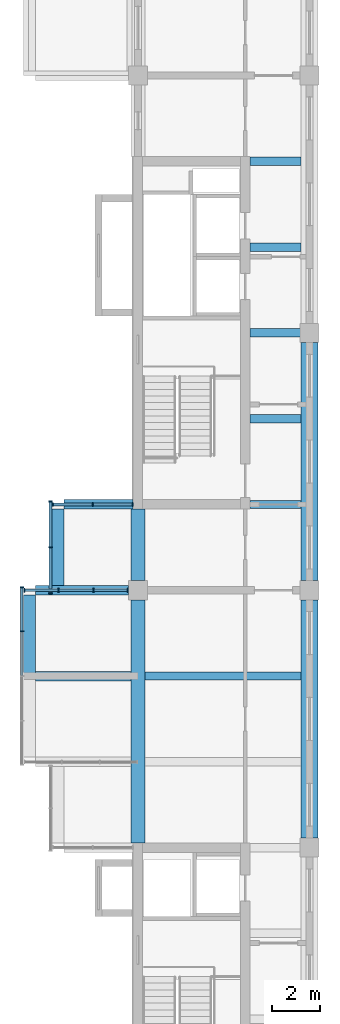
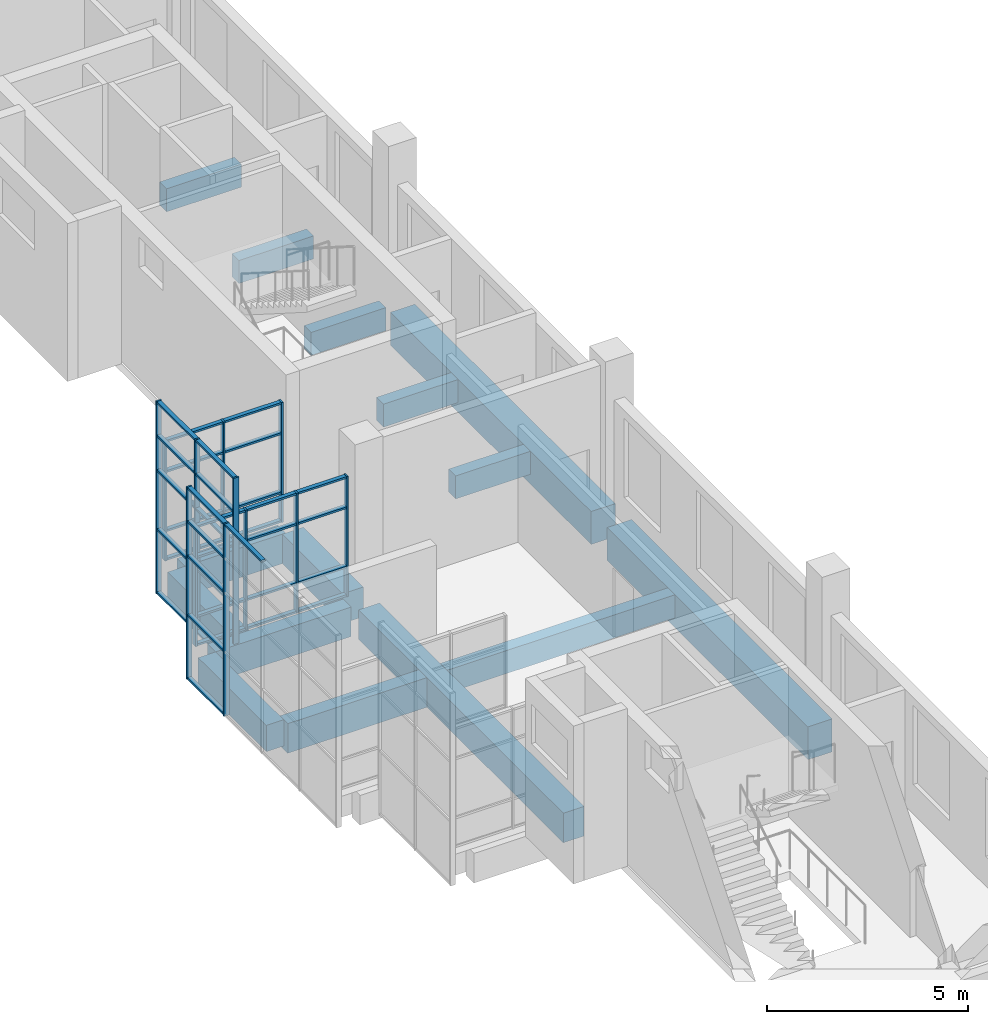
# One storey, part 3 of 9: 48 members, 15 beams, 4 elements without a shape of their own.
"""IFC4 building model written with IfcOpenShell, lengths in metres."""

import ifcopenshell
import ifcopenshell.guid

model = None  # the IFC model being written
_history = None  # IfcOwnerHistory: only IFC2X3 demands one
_inside = {}  # id of a spatial element -> (the spatial element, [elements in it])
_under = {}  # id of a project, library or spatial element -> (it, [spatial elements below it])
_declared = {}  # id of a project -> (the project, [libraries it declares])
_typed = {}  # id of a type object -> (the type object, [elements of that type])
_made_of = {}  # id of a material, layer set ... -> (it, [elements and type objects made of it])


def new_model(schema):
    """Start an empty IFC model of exactly this schema.

    Asked for "IFC4X3", IfcOpenShell would pick the latest addendum, in which some entities
    have other attributes; the version numbers below select the first issue.
    IFC2X3 requires an IfcOwnerHistory on every rooted entity: one is made here for all.
    """
    global model, _history
    if schema == "IFC4X3":
        model = ifcopenshell.file(schema_version=(4, 3, 0, 0))
    else:
        model = ifcopenshell.file(schema=schema)
    _inside.clear()
    _under.clear()
    _declared.clear()
    _typed.clear()
    _made_of.clear()
    _history = None
    if model.schema == "IFC2X3":
        org = make("IfcOrganization", Name="unknown")
        user = make(
            "IfcPersonAndOrganization",
            ThePerson=make("IfcPerson", FamilyName="unknown"),
            TheOrganization=org,
        )
        app = make(
            "IfcApplication",
            ApplicationDeveloper=org,
            Version="unknown",
            ApplicationFullName="unknown",
            ApplicationIdentifier="unknown",
        )
        _history = make(
            "IfcOwnerHistory",
            OwningUser=user,
            OwningApplication=app,
            ChangeAction="ADDED",
            CreationDate=0,
        )
    return model


def make(cls, **values):
    """One entity of the class cls with the attributes given. An attribute that is None is left unset."""
    return model.create_entity(
        cls, **{name: value for name, value in values.items() if value is not None}
    )


def rooted(cls, **values):
    """An entity with a GlobalId (a new one), such as an element, a storey or a relation."""
    return make(cls, GlobalId=ifcopenshell.guid.new(), OwnerHistory=_history, **values)


def si_unit(unit_type, name, prefix=None):
    """IfcSIUnit, for example si_unit("LENGTHUNIT", "METRE", prefix="MILLI")."""
    return make("IfcSIUnit", UnitType=unit_type, Prefix=prefix, Name=name)


def assignment(units):
    """IfcUnitAssignment: the units of a project."""
    return None if units is None else make("IfcUnitAssignment", Units=units)


def point(xyz):
    """IfcCartesianPoint."""
    return None if xyz is None else make("IfcCartesianPoint", Coordinates=xyz)


def direction(xyz):
    """IfcDirection."""
    return None if xyz is None else make("IfcDirection", DirectionRatios=xyz)


def frame(location, z_axis=None, x_axis=None):
    """IfcAxis2Placement3D, a coordinate frame: its origin and axes. An axis left out is left unset."""
    return make(
        "IfcAxis2Placement3D",
        Location=point(location),
        Axis=direction(z_axis),
        RefDirection=direction(x_axis),
    )


def frame_2d(location, x_axis=None):
    """IfcAxis2Placement2D, a coordinate frame in the plane: its origin and x axis."""
    return make(
        "IfcAxis2Placement2D", Location=point(location), RefDirection=direction(x_axis)
    )


def origin():
    """The frame at (0, 0, 0) with its axes left unset."""
    return frame((0.0, 0.0, 0.0))


def origin_2d():
    """The frame at (0, 0) in the plane with its x axis left unset."""
    return frame_2d((0.0, 0.0))


def place(relative_to, where):
    """IfcLocalPlacement: puts the frame where relative to a parent placement (None: the world)."""
    return make(
        "IfcLocalPlacement", PlacementRelTo=relative_to, RelativePlacement=where
    )


def context(
    kind, dimensions, precision=None, world=None, true_north=None, identifier=None
):
    """IfcGeometricRepresentationContext, for example the 3D "Model" context."""
    return make(
        "IfcGeometricRepresentationContext",
        ContextIdentifier=identifier,
        ContextType=kind,
        CoordinateSpaceDimension=dimensions,
        Precision=precision,
        WorldCoordinateSystem=world,
        TrueNorth=true_north,
    )


def subcontext(parent, identifier, kind, view, scale=None):
    """IfcGeometricRepresentationSubContext, for example "Body" below "Model"."""
    return make(
        "IfcGeometricRepresentationSubContext",
        ContextIdentifier=identifier,
        ContextType=kind,
        ParentContext=parent,
        TargetScale=scale,
        TargetView=view,
    )


def project(units=None, contexts=None):
    """IfcProject with its units and contexts."""
    return rooted(
        "IfcProject",
        Name="project",
        RepresentationContexts=contexts,
        UnitsInContext=assignment(units),
    )


def spatial(cls, under=None, at=None, **own):
    """A site, building, storey or space (cls), placed at a placement, below another one or the project."""
    s = rooted(cls, ObjectPlacement=at, **own)
    if under is not None:
        _under.setdefault(under.id(), (under, []))[1].append(s)
    return s


def profile(cls, at=None, kind="AREA", **sizes):
    """A parametric profile (cls). Its sizes go by their IFC names, for example OverallWidth=200.0."""
    return make(cls, ProfileType=kind, Position=at, **sizes)


def rectangle(**sizes):
    """IfcRectangleProfileDef."""
    return profile("IfcRectangleProfileDef", **sizes)


def extrude(swept, where, along, depth):
    """IfcExtrudedAreaSolid: the profile swept, set in the frame where, extruded along a direction by depth."""
    return make(
        "IfcExtrudedAreaSolid",
        SweptArea=swept,
        Position=where,
        ExtrudedDirection=direction(along),
        Depth=depth,
    )


def shape(context_of_items, identifier, shape_type, items):
    """IfcShapeRepresentation: the items that make up one representation, for example the "Body"."""
    return make(
        "IfcShapeRepresentation",
        ContextOfItems=context_of_items,
        RepresentationIdentifier=identifier,
        RepresentationType=shape_type,
        Items=items,
    )


def material(Name=None, Category=None):
    """IfcMaterial."""
    return make("IfcMaterial", Name=Name, Category=Category)


def layer(
    of_material, thickness, ventilated=None, Name=None, Category=None, Priority=None
):
    """IfcMaterialLayer: one layer of a wall or slab, of a material (None: an air gap)."""
    return make(
        "IfcMaterialLayer",
        Material=of_material,
        LayerThickness=thickness,
        IsVentilated=ventilated,
        Name=Name,
        Category=Category,
        Priority=Priority,
    )


def layer_set(layers, Name=None):
    """IfcMaterialLayerSet."""
    return make("IfcMaterialLayerSet", MaterialLayers=layers, LayerSetName=Name)


def material_profile(
    of_material, cross_section, Name=None, Category=None, Priority=None
):
    """IfcMaterialProfile: a cross section and its material."""
    return make(
        "IfcMaterialProfile",
        Name=Name,
        Material=of_material,
        Profile=cross_section,
        Priority=Priority,
        Category=Category,
    )


def profile_set(profiles, Name=None, composite=None):
    """IfcMaterialProfileSet."""
    return make(
        "IfcMaterialProfileSet",
        Name=Name,
        MaterialProfiles=profiles,
        CompositeProfile=composite,
    )


def made_of(thing, what):
    """Note that an element or type object is made of a material, layer set ...; save() writes the relation."""
    if what is not None:
        _made_of.setdefault(what.id(), (what, []))[1].append(thing)
    return thing


def type_object(cls, material=None, **own):
    """A type object (cls), such as IfcWallType, which elements share."""
    return made_of(rooted(cls, **own), material)


def element(
    cls,
    number,
    at=None,
    inside=None,
    cuts=None,
    type_object=None,
    material=None,
    context=None,
    identifier="Body",
    shape_type=None,
    held_by="IfcProductDefinitionShape",
    body=None,
    shapes=None,
    **own,
):
    """One element of the class cls, such as IfcWall. Its Tag is "e" and its number.

    at: its placement. inside: the storey or other place that contains it. cuts: it is an
    opening in that element (IfcRelVoidsElement). A single representation is given by context,
    identifier, shape_type and body (its items); several are given by shapes. held_by: the class
    of the entity that holds the representations. save() writes the other relations.
    """
    e = rooted(cls, Tag="e%d" % number, ObjectPlacement=at, **own)
    if body is not None:
        shapes = [shape(context, identifier, shape_type, body)]
    if shapes is not None:
        e.Representation = make(held_by, Representations=shapes)
    if inside is not None:
        _inside.setdefault(inside.id(), (inside, []))[1].append(e)
    if cuts is not None:
        rooted(
            "IfcRelVoidsElement", RelatingBuildingElement=cuts, RelatedOpeningElement=e
        )
    if type_object is not None:
        _typed.setdefault(type_object.id(), (type_object, []))[1].append(e)
    return made_of(e, material)


def aggregate(whole, parts):
    """IfcRelAggregates: a whole, such as a stair, and the parts it consists of."""
    return rooted("IfcRelAggregates", RelatingObject=whole, RelatedObjects=parts)


def save(model, path):
    """Write the relations noted so far, then the file.

    IfcRelAggregates (storeys below a building ...), IfcRelContainedInSpatialStructure (elements
    in a storey), IfcRelDefinesByType, IfcRelAssociatesMaterial and IfcRelDeclares: one each for
    every whole, place, type object, material and project.
    """
    for whole, parts in _under.values():
        aggregate(whole, parts)
    for where, things in _inside.values():
        rooted(
            "IfcRelContainedInSpatialStructure",
            RelatedElements=things,
            RelatingStructure=where,
        )
    for kind, things in _typed.values():
        rooted("IfcRelDefinesByType", RelatedObjects=things, RelatingType=kind)
    for what, things in _made_of.values():
        rooted("IfcRelAssociatesMaterial", RelatedObjects=things, RelatingMaterial=what)
    for by, libraries in _declared.values():
        rooted("IfcRelDeclares", RelatingContext=by, RelatedDefinitions=libraries)
    model.write(path)


model = new_model("IFC4")

# Units and contexts
model_context = context("Model", 3, precision=1e-05, world=origin(), true_north=direction((0.0, 1.0)))
body_context = subcontext(model_context, "Body", "Model", "MODEL_VIEW")
ifc_project = project(units=[si_unit("LENGTHUNIT", "METRE"), si_unit("AREAUNIT", "SQUARE_METRE"), si_unit("VOLUMEUNIT", "CUBIC_METRE"), si_unit("PLANEANGLEUNIT", "RADIAN"), si_unit("MASSUNIT", "GRAM", prefix="KILO")], contexts=[model_context])

# Site, building, storey
site_placement = place(None, origin())
site = spatial("IfcSite", under=ifc_project, at=site_placement, CompositionType="ELEMENT")
building_placement = place(site_placement, origin())
building = spatial("IfcBuilding", under=site, at=building_placement, Name="Basin Gate Institute", CompositionType="ELEMENT")
storey_placement = place(building_placement, frame((0.0, 0.0, 70.199951171875)))
storey = spatial("IfcBuildingStorey", under=building, at=storey_placement, Name="L14", CompositionType="ELEMENT", Elevation=70.199951171875)

# Beams
ifc_material_1 = material(Name="Concrete 40 MPa", Category="concrete")
ifc_material_profile_1 = material_profile(ifc_material_1, rectangle(XDim=0.35009765625, YDim=0.699951171875, at=origin_2d()), Name="Beam B1 350 x 700")
ifc_profile_set_1 = profile_set([ifc_material_profile_1], Name="Concrete 40 MPa")
beam_type_1 = type_object("IfcBeamType", Name="Beam B1 R60", PredefinedType="BEAM", material=ifc_profile_set_1)
beam_1_placement = place(storey_placement, frame((61.5, 53.10009765625, -0.599853515625), z_axis=(1.0, 0.0, 0.0), x_axis=(0.0, 1.0, 0.0)))
element("IfcBeam", 1, at=beam_1_placement, inside=storey, type_object=beam_type_1, material=ifc_profile_set_1, Name="BEAM/L14/W/OUT/06", PredefinedType="BEAM", context=body_context, shape_type="SweptSolid", body=[
    extrude(rectangle(XDim=0.35009765625, YDim=0.699951171875, at=origin_2d()), origin(), (0.0, 0.0, 1.0), 6.550048828125),
])
for number, where, z_axis, x_axis, name in (
    (2, (65.89990234375, 60.300048828125, -0.599853515625), (1.0, 0.0, 0.0), (0.0, 1.0, 0.0), "BEAM/L14/W/CORR/08"),
    (3, (65.89990234375, 63.89990234375, -0.599853515625), (1.0, 0.0, 0.0), (0.0, 1.0, 0.0), "BEAM/L14/W/CORR/09"),
    (4, (65.89990234375, 67.5, -0.599853515625), (1.0, 0.0, 0.0), (0.0, 1.0, 0.0), "BEAM/L14/W/CORR/10"),
    (5, (65.89990234375, 71.10009765625, -0.599853515625), (1.0, 0.0, 0.0), (0.0, 1.0, 0.0), "BEAM/L14/W/CORR/11"),
    (6, (65.89990234375, 74.699951171875, -0.599853515625), (1.0, 0.0, 0.0), (0.0, 1.0, 0.0), "BEAM/L14/W/CORR/12"),
):
    element("IfcBeam", number, at=place(storey_placement, frame(where, z_axis=z_axis, x_axis=x_axis)), inside=storey, type_object=beam_type_1, material=ifc_profile_set_1, Name=name, PredefinedType="BEAM", context=body_context, shape_type="SweptSolid", body=[
        extrude(rectangle(XDim=0.35009765625, YDim=0.699951171875, at=origin_2d()), origin(), (0.0, 0.0, 1.0), 2.150146484375),
    ])
ifc_material_2 = material(Name="Concrete 50 MPa", Category="concrete")
ifc_material_profile_2 = material_profile(ifc_material_2, rectangle(XDim=0.39990234375, YDim=0.89990234375, at=origin_2d()), Name="Cantilever beam B3 400 x 900")
ifc_profile_set_2 = profile_set([ifc_material_profile_2], Name="Concrete 50 MPa")
beam_type_2 = type_object("IfcBeamType", Name="Cantilever beam B3 R60", PredefinedType="BEAM", material=ifc_profile_set_2)
beam_2_placement = place(storey_placement, frame((56.89990234375, 53.10009765625, -0.699951171875), z_axis=(1.0, 0.0, 0.0), x_axis=(0.0, 1.0, 0.0)))
element("IfcBeam", 7, at=beam_2_placement, inside=storey, type_object=beam_type_2, material=ifc_profile_set_2, Name="BEAM/L14/W/CANT/06", PredefinedType="BEAM", context=body_context, shape_type="SweptSolid", body=[
    extrude(rectangle(XDim=0.39990234375, YDim=0.89990234375, at=origin_2d()), origin(), (0.0, 0.0, 1.0), 4.0),
])
beam_3_placement = place(storey_placement, frame((56.89990234375, 56.699951171875, -0.699951171875), z_axis=(1.0, 0.0, 0.0), x_axis=(0.0, 1.0, 0.0)))
element("IfcBeam", 8, at=beam_3_placement, inside=storey, type_object=beam_type_2, material=ifc_profile_set_2, Name="BEAM/L14/W/CANT/07", PredefinedType="BEAM", context=body_context, shape_type="SweptSolid", body=[
    extrude(rectangle(XDim=0.39990234375, YDim=0.89990234375, at=origin_2d()), origin(), (0.0, 0.0, 1.0), 3.900146484375),
])
beam_4_placement = place(storey_placement, frame((58.10009765625, 60.300048828125, -0.699951171875), z_axis=(1.0, 0.0, 0.0), x_axis=(0.0, 1.0, 0.0)))
element("IfcBeam", 9, at=beam_4_placement, inside=storey, type_object=beam_type_2, material=ifc_profile_set_2, Name="BEAM/L14/W/CANT/08", PredefinedType="BEAM", context=body_context, shape_type="SweptSolid", body=[
    extrude(rectangle(XDim=0.39990234375, YDim=0.89990234375, at=origin_2d()), origin(), (0.0, 0.0, 1.0), 2.89990234375),
])
ifc_material_3 = material(Name="Concrete 50 MPa", Category="concrete")
ifc_material_profile_3 = material_profile(ifc_material_3, rectangle(XDim=0.60009765625, YDim=0.89990234375, at=origin_2d()), Name="Edge beam EB1 600 x 900")
ifc_profile_set_3 = profile_set([ifc_material_profile_3], Name="Concrete 50 MPa")
beam_type_3 = type_object("IfcBeamType", Name="Edge beam EB1 R60", PredefinedType="SPANDREL", material=ifc_profile_set_3)
beam_5_placement = place(storey_placement, frame((61.199951171875, 46.10009765625, -0.699951171875), z_axis=(0.0, 1.0, 0.0), x_axis=(-1.0, 0.0, 0.0)))
element("IfcBeam", 10, at=beam_5_placement, inside=storey, type_object=beam_type_3, material=ifc_profile_set_3, Name="BEAM/L14/W/EDGE/1", PredefinedType="SPANDREL", context=body_context, shape_type="SweptSolid", body=[
    extrude(rectangle(XDim=0.60009765625, YDim=0.89990234375, at=origin_2d()), origin(), (0.0, 0.0, 1.0), 10.199951171875),
])
ifc_material_4 = material(Name="Concrete 50 MPa", Category="concrete")
ifc_material_profile_4 = material_profile(ifc_material_4, rectangle(XDim=0.60009765625, YDim=0.89990234375, at=origin_2d()), Name="Edge return beam EB3 600 x 900")
ifc_profile_set_4 = profile_set([ifc_material_profile_4], Name="Concrete 50 MPa")
beam_type_4 = type_object("IfcBeamType", Name="Edge return beam EB3 R60", PredefinedType="SPANDREL", material=ifc_profile_set_4)
beam_6_placement = place(storey_placement, frame((61.199951171875, 57.10009765625, -0.699951171875), z_axis=(0.0, 1.0, 0.0), x_axis=(-1.0, 0.0, 0.0)))
element("IfcBeam", 11, at=beam_6_placement, inside=storey, type_object=beam_type_4, material=ifc_profile_set_4, Name="BEAM/L14/W/EDGE/2", PredefinedType="SPANDREL", context=body_context, shape_type="SweptSolid", body=[
    extrude(rectangle(XDim=0.60009765625, YDim=0.89990234375, at=origin_2d()), origin(), (0.0, 0.0, 1.0), 3.0),
])
ifc_material_5 = material(Name="Concrete 50 MPa", Category="concrete")
ifc_material_profile_5 = material_profile(ifc_material_5, rectangle(XDim=0.699951171875, YDim=1.0, at=origin_2d()), Name="Girder G1 700 x 1000")
ifc_profile_set_5 = profile_set([ifc_material_profile_5], Name="Concrete 50 MPa")
beam_type_5 = type_object("IfcBeamType", Name="Girder G1 R60", PredefinedType="BEAM", material=ifc_profile_set_5)
for number, where, z_axis, x_axis, name in (
    (12, (68.39990234375, 46.300048828125, -0.75), (0.0, 1.0, 0.0), (-1.0, 0.0, 0.0), "GIR/L14/W5/2"),
    (13, (68.39990234375, 57.10009765625, -0.75), (0.0, 1.0, 0.0), (-1.0, 0.0, 0.0), "GIR/L14/W5/3"),
):
    element("IfcBeam", number, at=place(storey_placement, frame(where, z_axis=z_axis, x_axis=x_axis)), inside=storey, type_object=beam_type_5, material=ifc_profile_set_5, Name=name, PredefinedType="BEAM", context=body_context, shape_type="SweptSolid", body=[
        extrude(rectangle(XDim=0.699951171875, YDim=1.0, at=origin_2d()), origin(), (0.0, 0.0, 1.0), 10.0),
    ])

# Curtain wall, members
ifc_material_6 = material(Name="Aluminium-framed glazing", Category="aluminium")
ifc_layer = layer(ifc_material_6, 0.14990234375)
ifc_layer_set = layer_set([ifc_layer], Name="Capsule front curtain wall CW1")
curtain_wall_type = type_object("IfcCurtainWallType", Name="Capsule front curtain wall CW1", PredefinedType="NOTDEFINED", material=ifc_layer_set)
curtain_wall_1_placement = place(storey_placement, origin())
curtain_wall_1 = element("IfcCurtainWall", 14, at=curtain_wall_1_placement, inside=storey, type_object=curtain_wall_type, material=ifc_layer_set, Name="Capsule front curtain wall W wing capsule end L14 line 7", PredefinedType="NOTDEFINED")
ifc_material_7 = material(Name="Aluminium", Category="aluminium")
ifc_material_profile_6 = material_profile(ifc_material_7, rectangle(XDim=0.14990234375, YDim=0.050048828125, at=origin_2d()), Name="Mullion MU1 150 x 50")
ifc_profile_set_6 = profile_set([ifc_material_profile_6], Name="Aluminium")
member_type_1 = type_object("IfcMemberType", Name="Mullion MU1", PredefinedType="MULLION", material=ifc_profile_set_6)
member_1_placement = place(storey_placement, frame((56.425048828125, 56.699951171875, 0.0), z_axis=(0.0, 0.0, 1.0), x_axis=(0.0, 1.0, 0.0)))
member_1 = element("IfcMember", 15, at=member_1_placement, type_object=member_type_1, material=ifc_profile_set_6, Name="CW1 mullion 1", PredefinedType="MULLION", context=body_context, shape_type="SweptSolid", body=[
    extrude(rectangle(XDim=0.14990234375, YDim=0.050048828125, at=origin_2d()), origin(), (0.0, 0.0, 1.0), 3.650146484375),
])
member_2_placement = place(storey_placement, frame((57.86669921875, 56.699951171875, 0.0), z_axis=(0.0, 0.0, 1.0), x_axis=(0.0, 1.0, 0.0)))
member_2 = element("IfcMember", 16, at=member_2_placement, type_object=member_type_1, material=ifc_profile_set_6, Name="CW1 mullion 2", PredefinedType="MULLION", context=body_context, shape_type="SweptSolid", body=[
    extrude(rectangle(XDim=0.14990234375, YDim=0.050048828125, at=origin_2d()), origin(), (0.0, 0.0, 1.0), 3.650146484375),
])
member_3_placement = place(storey_placement, frame((59.333251953125, 56.699951171875, 0.0), z_axis=(0.0, 0.0, 1.0), x_axis=(0.0, 1.0, 0.0)))
member_3 = element("IfcMember", 17, at=member_3_placement, type_object=member_type_1, material=ifc_profile_set_6, Name="CW1 mullion 3", PredefinedType="MULLION", context=body_context, shape_type="SweptSolid", body=[
    extrude(rectangle(XDim=0.14990234375, YDim=0.050048828125, at=origin_2d()), origin(), (0.0, 0.0, 1.0), 3.650146484375),
])
member_4_placement = place(storey_placement, frame((60.77490234375, 56.699951171875, 0.0), z_axis=(0.0, 0.0, 1.0), x_axis=(0.0, 1.0, 0.0)))
member_4 = element("IfcMember", 18, at=member_4_placement, type_object=member_type_1, material=ifc_profile_set_6, Name="CW1 mullion 4", PredefinedType="MULLION", context=body_context, shape_type="SweptSolid", body=[
    extrude(rectangle(XDim=0.14990234375, YDim=0.050048828125, at=origin_2d()), origin(), (0.0, 0.0, 1.0), 3.650146484375),
])

curtain_wall_2_placement = place(storey_placement, origin())
curtain_wall_2 = element("IfcCurtainWall", 19, at=curtain_wall_2_placement, inside=storey, type_object=curtain_wall_type, material=ifc_layer_set, Name="Capsule front curtain wall W wing capsule end L14 line 8", PredefinedType="NOTDEFINED")
member_5_placement = place(storey_placement, frame((57.625, 60.300048828125, 0.0), z_axis=(0.0, 0.0, 1.0), x_axis=(0.0, 1.0, 0.0)))
member_5 = element("IfcMember", 20, at=member_5_placement, type_object=member_type_1, material=ifc_profile_set_6, Name="CW1 mullion 1", PredefinedType="MULLION", context=body_context, shape_type="SweptSolid", body=[
    extrude(rectangle(XDim=0.14990234375, YDim=0.050048828125, at=origin_2d()), origin(), (0.0, 0.0, 1.0), 3.650146484375),
])
member_6_placement = place(storey_placement, frame((59.300048828125, 60.300048828125, 0.0), z_axis=(0.0, 0.0, 1.0), x_axis=(0.0, 1.0, 0.0)))
member_6 = element("IfcMember", 21, at=member_6_placement, type_object=member_type_1, material=ifc_profile_set_6, Name="CW1 mullion 2", PredefinedType="MULLION", context=body_context, shape_type="SweptSolid", body=[
    extrude(rectangle(XDim=0.14990234375, YDim=0.050048828125, at=origin_2d()), origin(), (0.0, 0.0, 1.0), 3.650146484375),
])
member_7_placement = place(storey_placement, frame((60.97509765625, 60.300048828125, 0.0), z_axis=(0.0, 0.0, 1.0), x_axis=(0.0, 1.0, 0.0)))
member_7 = element("IfcMember", 22, at=member_7_placement, type_object=member_type_1, material=ifc_profile_set_6, Name="CW1 mullion 3", PredefinedType="MULLION", context=body_context, shape_type="SweptSolid", body=[
    extrude(rectangle(XDim=0.14990234375, YDim=0.050048828125, at=origin_2d()), origin(), (0.0, 0.0, 1.0), 3.650146484375),
])

curtain_wall_3_placement = place(storey_placement, origin())
curtain_wall_3 = element("IfcCurtainWall", 23, at=curtain_wall_3_placement, inside=storey, type_object=curtain_wall_type, material=ifc_layer_set, Name="Capsule front curtain wall W wing capsule 1 L14 front 2", PredefinedType="NOTDEFINED")
member_8_placement = place(storey_placement, frame((56.324951171875, 54.97509765625, -1.050048828125), z_axis=(0.0, 0.0, 1.0), x_axis=(-1.0, 0.0, 0.0)))
member_8 = element("IfcMember", 24, at=member_8_placement, type_object=member_type_1, material=ifc_profile_set_6, Name="CW1 mullion 4", PredefinedType="MULLION", context=body_context, shape_type="SweptSolid", body=[
    extrude(rectangle(XDim=0.14990234375, YDim=0.050048828125, at=origin_2d()), origin(), (0.0, 0.0, 1.0), 5.85009765625),
])
member_9_placement = place(storey_placement, frame((56.324951171875, 56.824951171875, -1.050048828125), z_axis=(0.0, 0.0, 1.0), x_axis=(-1.0, 0.0, 0.0)))
member_9 = element("IfcMember", 25, at=member_9_placement, type_object=member_type_1, material=ifc_profile_set_6, Name="CW1 mullion 5", PredefinedType="MULLION", context=body_context, shape_type="SweptSolid", body=[
    extrude(rectangle(XDim=0.14990234375, YDim=0.050048828125, at=origin_2d()), origin(), (0.0, 0.0, 1.0), 5.85009765625),
])

curtain_wall_4_placement = place(storey_placement, origin())
curtain_wall_4 = element("IfcCurtainWall", 26, at=curtain_wall_4_placement, inside=storey, type_object=curtain_wall_type, material=ifc_layer_set, Name="Capsule front curtain wall W wing capsule 1 L14 front 4", PredefinedType="NOTDEFINED")
member_10_placement = place(storey_placement, frame((57.52490234375, 56.574951171875, -1.050048828125), z_axis=(0.0, 0.0, 1.0), x_axis=(-1.0, 0.0, 0.0)))
member_10 = element("IfcMember", 27, at=member_10_placement, type_object=member_type_1, material=ifc_profile_set_6, Name="CW1 mullion 1", PredefinedType="MULLION", context=body_context, shape_type="SweptSolid", body=[
    extrude(rectangle(XDim=0.14990234375, YDim=0.050048828125, at=origin_2d()), origin(), (0.0, 0.0, 1.0), 5.85009765625),
])
member_11_placement = place(storey_placement, frame((57.52490234375, 58.5, -1.050048828125), z_axis=(0.0, 0.0, 1.0), x_axis=(-1.0, 0.0, 0.0)))
member_11 = element("IfcMember", 28, at=member_11_placement, type_object=member_type_1, material=ifc_profile_set_6, Name="CW1 mullion 2", PredefinedType="MULLION", context=body_context, shape_type="SweptSolid", body=[
    extrude(rectangle(XDim=0.14990234375, YDim=0.050048828125, at=origin_2d()), origin(), (0.0, 0.0, 1.0), 5.85009765625),
])
member_12_placement = place(storey_placement, frame((57.52490234375, 60.425048828125, -1.050048828125), z_axis=(0.0, 0.0, 1.0), x_axis=(-1.0, 0.0, 0.0)))
member_12 = element("IfcMember", 29, at=member_12_placement, type_object=member_type_1, material=ifc_profile_set_6, Name="CW1 mullion 3", PredefinedType="MULLION", context=body_context, shape_type="SweptSolid", body=[
    extrude(rectangle(XDim=0.14990234375, YDim=0.050048828125, at=origin_2d()), origin(), (0.0, 0.0, 1.0), 5.85009765625),
])

# Beams
ifc_material_8 = material(Name="Concrete 50 MPa", Category="concrete")
ifc_material_profile_7 = material_profile(ifc_material_8, rectangle(XDim=0.5, YDim=0.800048828125, at=origin_2d()), Name="Tip beam TB1 500 x 800")
ifc_profile_set_7 = profile_set([ifc_material_profile_7], Name="Concrete 50 MPa")
beam_type_6 = type_object("IfcBeamType", Name="Tip beam TB1 R60", PredefinedType="SPANDREL", material=ifc_profile_set_7)
beam_7_placement = place(storey_placement, frame((56.64990234375, 53.10009765625, -0.64990234375), z_axis=(0.0, 1.0, 0.0), x_axis=(-1.0, 0.0, 0.0)))
element("IfcBeam", 30, at=beam_7_placement, inside=storey, type_object=beam_type_6, material=ifc_profile_set_7, Name="BEAM/L14/W/TIP/3", PredefinedType="SPANDREL", context=body_context, shape_type="SweptSolid", body=[
    extrude(rectangle(XDim=0.5, YDim=0.800048828125, at=origin_2d()), origin(), (0.0, 0.0, 1.0), 3.39990234375),
])
beam_8_placement = place(storey_placement, frame((57.85009765625, 56.89990234375, -0.64990234375), z_axis=(0.0, 1.0, 0.0), x_axis=(-1.0, 0.0, 0.0)))
element("IfcBeam", 31, at=beam_8_placement, inside=storey, type_object=beam_type_6, material=ifc_profile_set_7, Name="BEAM/L14/W/TIP/4", PredefinedType="SPANDREL", context=body_context, shape_type="SweptSolid", body=[
    extrude(rectangle(XDim=0.5, YDim=0.800048828125, at=origin_2d()), origin(), (0.0, 0.0, 1.0), 3.2001953125),
])

# Member
ifc_material_9 = material(Name="Aluminium", Category="aluminium")
ifc_material_profile_8 = material_profile(ifc_material_9, rectangle(XDim=0.1201171875, YDim=0.06005859375, at=origin_2d()), Name="Transom TR1 120 x 60")
ifc_profile_set_8 = profile_set([ifc_material_profile_8], Name="Aluminium")
member_type_2 = type_object("IfcMemberType", Name="Transom TR1", PredefinedType="USERDEFINED", material=ifc_profile_set_8)
member_13_placement = place(storey_placement, frame((56.449951171875, 56.699951171875, 0.030029296875), z_axis=(1.0, 0.0, 0.0), x_axis=(0.0, 1.0, 0.0)))
member_13 = element("IfcMember", 32, at=member_13_placement, type_object=member_type_2, material=ifc_profile_set_8, Name="CW1 transom 1.1", ObjectType="TRANSOM", PredefinedType="USERDEFINED", context=body_context, shape_type="SweptSolid", body=[
    extrude(rectangle(XDim=0.1201171875, YDim=0.06005859375, at=origin_2d()), origin(), (0.0, 0.0, 1.0), 1.3916015625),
])

member_14_placement = place(storey_placement, frame((56.449951171875, 56.699951171875, 0.900146484375), z_axis=(1.0, 0.0, 0.0), x_axis=(0.0, 1.0, 0.0)))
member_14 = element("IfcMember", 33, at=member_14_placement, type_object=member_type_2, material=ifc_profile_set_8, Name="CW1 transom 1.2", ObjectType="TRANSOM", PredefinedType="USERDEFINED", context=body_context, shape_type="SweptSolid", body=[
    extrude(rectangle(XDim=0.1201171875, YDim=0.06005859375, at=origin_2d()), origin(), (0.0, 0.0, 1.0), 1.3916015625),
])

member_15_placement = place(storey_placement, frame((56.449951171875, 56.699951171875, 2.699951171875), z_axis=(1.0, 0.0, 0.0), x_axis=(0.0, 1.0, 0.0)))
member_15 = element("IfcMember", 34, at=member_15_placement, type_object=member_type_2, material=ifc_profile_set_8, Name="CW1 transom 1.3", ObjectType="TRANSOM", PredefinedType="USERDEFINED", context=body_context, shape_type="SweptSolid", body=[
    extrude(rectangle(XDim=0.1201171875, YDim=0.06005859375, at=origin_2d()), origin(), (0.0, 0.0, 1.0), 1.3916015625),
])

member_16_placement = place(storey_placement, frame((56.449951171875, 56.699951171875, 3.6201171875), z_axis=(1.0, 0.0, 0.0), x_axis=(0.0, 1.0, 0.0)))
member_16 = element("IfcMember", 35, at=member_16_placement, type_object=member_type_2, material=ifc_profile_set_8, Name="CW1 transom 1.4", ObjectType="TRANSOM", PredefinedType="USERDEFINED", context=body_context, shape_type="SweptSolid", body=[
    extrude(rectangle(XDim=0.1201171875, YDim=0.06005859375, at=origin_2d()), origin(), (0.0, 0.0, 1.0), 1.3916015625),
])

member_17_placement = place(storey_placement, frame((57.8916015625, 56.699951171875, 0.030029296875), z_axis=(1.0, 0.0, 0.0), x_axis=(0.0, 1.0, 0.0)))
member_17 = element("IfcMember", 36, at=member_17_placement, type_object=member_type_2, material=ifc_profile_set_8, Name="CW1 transom 2.1", ObjectType="TRANSOM", PredefinedType="USERDEFINED", context=body_context, shape_type="SweptSolid", body=[
    extrude(rectangle(XDim=0.1201171875, YDim=0.06005859375, at=origin_2d()), origin(), (0.0, 0.0, 1.0), 1.416748046875),
])

member_18_placement = place(storey_placement, frame((57.8916015625, 56.699951171875, 0.900146484375), z_axis=(1.0, 0.0, 0.0), x_axis=(0.0, 1.0, 0.0)))
member_18 = element("IfcMember", 37, at=member_18_placement, type_object=member_type_2, material=ifc_profile_set_8, Name="CW1 transom 2.2", ObjectType="TRANSOM", PredefinedType="USERDEFINED", context=body_context, shape_type="SweptSolid", body=[
    extrude(rectangle(XDim=0.1201171875, YDim=0.06005859375, at=origin_2d()), origin(), (0.0, 0.0, 1.0), 1.416748046875),
])

member_19_placement = place(storey_placement, frame((57.8916015625, 56.699951171875, 2.699951171875), z_axis=(1.0, 0.0, 0.0), x_axis=(0.0, 1.0, 0.0)))
member_19 = element("IfcMember", 38, at=member_19_placement, type_object=member_type_2, material=ifc_profile_set_8, Name="CW1 transom 2.3", ObjectType="TRANSOM", PredefinedType="USERDEFINED", context=body_context, shape_type="SweptSolid", body=[
    extrude(rectangle(XDim=0.1201171875, YDim=0.06005859375, at=origin_2d()), origin(), (0.0, 0.0, 1.0), 1.416748046875),
])

member_20_placement = place(storey_placement, frame((57.8916015625, 56.699951171875, 3.6201171875), z_axis=(1.0, 0.0, 0.0), x_axis=(0.0, 1.0, 0.0)))
member_20 = element("IfcMember", 39, at=member_20_placement, type_object=member_type_2, material=ifc_profile_set_8, Name="CW1 transom 2.4", ObjectType="TRANSOM", PredefinedType="USERDEFINED", context=body_context, shape_type="SweptSolid", body=[
    extrude(rectangle(XDim=0.1201171875, YDim=0.06005859375, at=origin_2d()), origin(), (0.0, 0.0, 1.0), 1.416748046875),
])

member_21_placement = place(storey_placement, frame((59.3583984375, 56.699951171875, 0.030029296875), z_axis=(1.0, 0.0, 0.0), x_axis=(0.0, 1.0, 0.0)))
member_21 = element("IfcMember", 40, at=member_21_placement, type_object=member_type_2, material=ifc_profile_set_8, Name="CW1 transom 3.1", ObjectType="TRANSOM", PredefinedType="USERDEFINED", context=body_context, shape_type="SweptSolid", body=[
    extrude(rectangle(XDim=0.1201171875, YDim=0.06005859375, at=origin_2d()), origin(), (0.0, 0.0, 1.0), 1.3916015625),
])

member_22_placement = place(storey_placement, frame((59.3583984375, 56.699951171875, 0.900146484375), z_axis=(1.0, 0.0, 0.0), x_axis=(0.0, 1.0, 0.0)))
member_22 = element("IfcMember", 41, at=member_22_placement, type_object=member_type_2, material=ifc_profile_set_8, Name="CW1 transom 3.2", ObjectType="TRANSOM", PredefinedType="USERDEFINED", context=body_context, shape_type="SweptSolid", body=[
    extrude(rectangle(XDim=0.1201171875, YDim=0.06005859375, at=origin_2d()), origin(), (0.0, 0.0, 1.0), 1.3916015625),
])

member_23_placement = place(storey_placement, frame((59.3583984375, 56.699951171875, 2.699951171875), z_axis=(1.0, 0.0, 0.0), x_axis=(0.0, 1.0, 0.0)))
member_23 = element("IfcMember", 42, at=member_23_placement, type_object=member_type_2, material=ifc_profile_set_8, Name="CW1 transom 3.3", ObjectType="TRANSOM", PredefinedType="USERDEFINED", context=body_context, shape_type="SweptSolid", body=[
    extrude(rectangle(XDim=0.1201171875, YDim=0.06005859375, at=origin_2d()), origin(), (0.0, 0.0, 1.0), 1.3916015625),
])

member_24_placement = place(storey_placement, frame((59.3583984375, 56.699951171875, 3.6201171875), z_axis=(1.0, 0.0, 0.0), x_axis=(0.0, 1.0, 0.0)))
member_24 = element("IfcMember", 43, at=member_24_placement, type_object=member_type_2, material=ifc_profile_set_8, Name="CW1 transom 3.4", ObjectType="TRANSOM", PredefinedType="USERDEFINED", context=body_context, shape_type="SweptSolid", body=[
    extrude(rectangle(XDim=0.1201171875, YDim=0.06005859375, at=origin_2d()), origin(), (0.0, 0.0, 1.0), 1.3916015625),
])

aggregate(curtain_wall_1, [member_1, member_2, member_3, member_4, member_13, member_14, member_15, member_16, member_17, member_18, member_19, member_20, member_21, member_22, member_23, member_24])

member_25_placement = place(storey_placement, frame((57.64990234375, 60.300048828125, 0.030029296875), z_axis=(1.0, 0.0, 0.0), x_axis=(0.0, 1.0, 0.0)))
member_25 = element("IfcMember", 44, at=member_25_placement, type_object=member_type_2, material=ifc_profile_set_8, Name="CW1 transom 1.1", ObjectType="TRANSOM", PredefinedType="USERDEFINED", context=body_context, shape_type="SweptSolid", body=[
    extrude(rectangle(XDim=0.1201171875, YDim=0.06005859375, at=origin_2d()), origin(), (0.0, 0.0, 1.0), 1.625),
])

member_26_placement = place(storey_placement, frame((57.64990234375, 60.300048828125, 0.900146484375), z_axis=(1.0, 0.0, 0.0), x_axis=(0.0, 1.0, 0.0)))
member_26 = element("IfcMember", 45, at=member_26_placement, type_object=member_type_2, material=ifc_profile_set_8, Name="CW1 transom 1.2", ObjectType="TRANSOM", PredefinedType="USERDEFINED", context=body_context, shape_type="SweptSolid", body=[
    extrude(rectangle(XDim=0.1201171875, YDim=0.06005859375, at=origin_2d()), origin(), (0.0, 0.0, 1.0), 1.625),
])

member_27_placement = place(storey_placement, frame((57.64990234375, 60.300048828125, 2.699951171875), z_axis=(1.0, 0.0, 0.0), x_axis=(0.0, 1.0, 0.0)))
member_27 = element("IfcMember", 46, at=member_27_placement, type_object=member_type_2, material=ifc_profile_set_8, Name="CW1 transom 1.3", ObjectType="TRANSOM", PredefinedType="USERDEFINED", context=body_context, shape_type="SweptSolid", body=[
    extrude(rectangle(XDim=0.1201171875, YDim=0.06005859375, at=origin_2d()), origin(), (0.0, 0.0, 1.0), 1.625),
])

member_28_placement = place(storey_placement, frame((57.64990234375, 60.300048828125, 3.6201171875), z_axis=(1.0, 0.0, 0.0), x_axis=(0.0, 1.0, 0.0)))
member_28 = element("IfcMember", 47, at=member_28_placement, type_object=member_type_2, material=ifc_profile_set_8, Name="CW1 transom 1.4", ObjectType="TRANSOM", PredefinedType="USERDEFINED", context=body_context, shape_type="SweptSolid", body=[
    extrude(rectangle(XDim=0.1201171875, YDim=0.06005859375, at=origin_2d()), origin(), (0.0, 0.0, 1.0), 1.625),
])

member_29_placement = place(storey_placement, frame((59.324951171875, 60.300048828125, 0.030029296875), z_axis=(1.0, 0.0, 0.0), x_axis=(0.0, 1.0, 0.0)))
member_29 = element("IfcMember", 48, at=member_29_placement, type_object=member_type_2, material=ifc_profile_set_8, Name="CW1 transom 2.1", ObjectType="TRANSOM", PredefinedType="USERDEFINED", context=body_context, shape_type="SweptSolid", body=[
    extrude(rectangle(XDim=0.1201171875, YDim=0.06005859375, at=origin_2d()), origin(), (0.0, 0.0, 1.0), 1.625),
])

member_30_placement = place(storey_placement, frame((59.324951171875, 60.300048828125, 0.900146484375), z_axis=(1.0, 0.0, 0.0), x_axis=(0.0, 1.0, 0.0)))
member_30 = element("IfcMember", 49, at=member_30_placement, type_object=member_type_2, material=ifc_profile_set_8, Name="CW1 transom 2.2", ObjectType="TRANSOM", PredefinedType="USERDEFINED", context=body_context, shape_type="SweptSolid", body=[
    extrude(rectangle(XDim=0.1201171875, YDim=0.06005859375, at=origin_2d()), origin(), (0.0, 0.0, 1.0), 1.625),
])

member_31_placement = place(storey_placement, frame((59.324951171875, 60.300048828125, 2.699951171875), z_axis=(1.0, 0.0, 0.0), x_axis=(0.0, 1.0, 0.0)))
member_31 = element("IfcMember", 50, at=member_31_placement, type_object=member_type_2, material=ifc_profile_set_8, Name="CW1 transom 2.3", ObjectType="TRANSOM", PredefinedType="USERDEFINED", context=body_context, shape_type="SweptSolid", body=[
    extrude(rectangle(XDim=0.1201171875, YDim=0.06005859375, at=origin_2d()), origin(), (0.0, 0.0, 1.0), 1.625),
])

member_32_placement = place(storey_placement, frame((59.324951171875, 60.300048828125, 3.6201171875), z_axis=(1.0, 0.0, 0.0), x_axis=(0.0, 1.0, 0.0)))
member_32 = element("IfcMember", 51, at=member_32_placement, type_object=member_type_2, material=ifc_profile_set_8, Name="CW1 transom 2.4", ObjectType="TRANSOM", PredefinedType="USERDEFINED", context=body_context, shape_type="SweptSolid", body=[
    extrude(rectangle(XDim=0.1201171875, YDim=0.06005859375, at=origin_2d()), origin(), (0.0, 0.0, 1.0), 1.625),
])

aggregate(curtain_wall_2, [member_5, member_6, member_7, member_25, member_26, member_27, member_28, member_29, member_30, member_31, member_32])

member_33_placement = place(storey_placement, frame((56.324951171875, 53.125, 4.77001953125), z_axis=(0.0, 1.0, 0.0), x_axis=(-1.0, 0.0, 0.0)))
member_33 = element("IfcMember", 52, at=member_33_placement, type_object=member_type_2, material=ifc_profile_set_8, Name="CW1 transom 3.5", ObjectType="TRANSOM", PredefinedType="USERDEFINED", context=body_context, shape_type="SweptSolid", body=[
    extrude(rectangle(XDim=0.1201171875, YDim=0.06005859375, at=origin_2d()), origin(), (0.0, 0.0, 1.0), 1.824951171875),
])

member_34_placement = place(storey_placement, frame((56.324951171875, 55.0, -1.02001953125), z_axis=(0.0, 1.0, 0.0), x_axis=(-1.0, 0.0, 0.0)))
member_34 = element("IfcMember", 53, at=member_34_placement, type_object=member_type_2, material=ifc_profile_set_8, Name="CW1 transom 4.1", ObjectType="TRANSOM", PredefinedType="USERDEFINED", context=body_context, shape_type="SweptSolid", body=[
    extrude(rectangle(XDim=0.1201171875, YDim=0.06005859375, at=origin_2d()), origin(), (0.0, 0.0, 1.0), 1.800048828125),
])

member_35_placement = place(storey_placement, frame((56.324951171875, 55.0, 0.900146484375), z_axis=(0.0, 1.0, 0.0), x_axis=(-1.0, 0.0, 0.0)))
member_35 = element("IfcMember", 54, at=member_35_placement, type_object=member_type_2, material=ifc_profile_set_8, Name="CW1 transom 4.2", ObjectType="TRANSOM", PredefinedType="USERDEFINED", context=body_context, shape_type="SweptSolid", body=[
    extrude(rectangle(XDim=0.1201171875, YDim=0.06005859375, at=origin_2d()), origin(), (0.0, 0.0, 1.0), 1.800048828125),
])

member_36_placement = place(storey_placement, frame((56.324951171875, 55.0, 2.699951171875), z_axis=(0.0, 1.0, 0.0), x_axis=(-1.0, 0.0, 0.0)))
member_36 = element("IfcMember", 55, at=member_36_placement, type_object=member_type_2, material=ifc_profile_set_8, Name="CW1 transom 4.3", ObjectType="TRANSOM", PredefinedType="USERDEFINED", context=body_context, shape_type="SweptSolid", body=[
    extrude(rectangle(XDim=0.1201171875, YDim=0.06005859375, at=origin_2d()), origin(), (0.0, 0.0, 1.0), 1.800048828125),
])

member_37_placement = place(storey_placement, frame((56.324951171875, 55.0, 3.75), z_axis=(0.0, 1.0, 0.0), x_axis=(-1.0, 0.0, 0.0)))
member_37 = element("IfcMember", 56, at=member_37_placement, type_object=member_type_2, material=ifc_profile_set_8, Name="CW1 transom 4.4", ObjectType="TRANSOM", PredefinedType="USERDEFINED", context=body_context, shape_type="SweptSolid", body=[
    extrude(rectangle(XDim=0.1201171875, YDim=0.06005859375, at=origin_2d()), origin(), (0.0, 0.0, 1.0), 1.800048828125),
])

member_38_placement = place(storey_placement, frame((56.324951171875, 55.0, 4.77001953125), z_axis=(0.0, 1.0, 0.0), x_axis=(-1.0, 0.0, 0.0)))
member_38 = element("IfcMember", 57, at=member_38_placement, type_object=member_type_2, material=ifc_profile_set_8, Name="CW1 transom 4.5", ObjectType="TRANSOM", PredefinedType="USERDEFINED", context=body_context, shape_type="SweptSolid", body=[
    extrude(rectangle(XDim=0.1201171875, YDim=0.06005859375, at=origin_2d()), origin(), (0.0, 0.0, 1.0), 1.800048828125),
])

aggregate(curtain_wall_3, [member_8, member_9, member_33, member_34, member_35, member_36, member_37, member_38])

member_39_placement = place(storey_placement, frame((57.52490234375, 56.60009765625, -1.02001953125), z_axis=(0.0, 1.0, 0.0), x_axis=(-1.0, 0.0, 0.0)))
member_39 = element("IfcMember", 58, at=member_39_placement, type_object=member_type_2, material=ifc_profile_set_8, Name="CW1 transom 1.1", ObjectType="TRANSOM", PredefinedType="USERDEFINED", context=body_context, shape_type="SweptSolid", body=[
    extrude(rectangle(XDim=0.1201171875, YDim=0.06005859375, at=origin_2d()), origin(), (0.0, 0.0, 1.0), 1.875),
])

member_40_placement = place(storey_placement, frame((57.52490234375, 56.60009765625, 0.900146484375), z_axis=(0.0, 1.0, 0.0), x_axis=(-1.0, 0.0, 0.0)))
member_40 = element("IfcMember", 59, at=member_40_placement, type_object=member_type_2, material=ifc_profile_set_8, Name="CW1 transom 1.2", ObjectType="TRANSOM", PredefinedType="USERDEFINED", context=body_context, shape_type="SweptSolid", body=[
    extrude(rectangle(XDim=0.1201171875, YDim=0.06005859375, at=origin_2d()), origin(), (0.0, 0.0, 1.0), 1.875),
])

member_41_placement = place(storey_placement, frame((57.52490234375, 56.60009765625, 2.699951171875), z_axis=(0.0, 1.0, 0.0), x_axis=(-1.0, 0.0, 0.0)))
member_41 = element("IfcMember", 60, at=member_41_placement, type_object=member_type_2, material=ifc_profile_set_8, Name="CW1 transom 1.3", ObjectType="TRANSOM", PredefinedType="USERDEFINED", context=body_context, shape_type="SweptSolid", body=[
    extrude(rectangle(XDim=0.1201171875, YDim=0.06005859375, at=origin_2d()), origin(), (0.0, 0.0, 1.0), 1.875),
])

member_42_placement = place(storey_placement, frame((57.52490234375, 56.60009765625, 3.75), z_axis=(0.0, 1.0, 0.0), x_axis=(-1.0, 0.0, 0.0)))
member_42 = element("IfcMember", 61, at=member_42_placement, type_object=member_type_2, material=ifc_profile_set_8, Name="CW1 transom 1.4", ObjectType="TRANSOM", PredefinedType="USERDEFINED", context=body_context, shape_type="SweptSolid", body=[
    extrude(rectangle(XDim=0.1201171875, YDim=0.06005859375, at=origin_2d()), origin(), (0.0, 0.0, 1.0), 1.875),
])

member_43_placement = place(storey_placement, frame((57.52490234375, 56.60009765625, 4.77001953125), z_axis=(0.0, 1.0, 0.0), x_axis=(-1.0, 0.0, 0.0)))
member_43 = element("IfcMember", 62, at=member_43_placement, type_object=member_type_2, material=ifc_profile_set_8, Name="CW1 transom 1.5", ObjectType="TRANSOM", PredefinedType="USERDEFINED", context=body_context, shape_type="SweptSolid", body=[
    extrude(rectangle(XDim=0.1201171875, YDim=0.06005859375, at=origin_2d()), origin(), (0.0, 0.0, 1.0), 1.875),
])

member_44_placement = place(storey_placement, frame((57.52490234375, 58.52490234375, -1.02001953125), z_axis=(0.0, 1.0, 0.0), x_axis=(-1.0, 0.0, 0.0)))
member_44 = element("IfcMember", 63, at=member_44_placement, type_object=member_type_2, material=ifc_profile_set_8, Name="CW1 transom 2.1", ObjectType="TRANSOM", PredefinedType="USERDEFINED", context=body_context, shape_type="SweptSolid", body=[
    extrude(rectangle(XDim=0.1201171875, YDim=0.06005859375, at=origin_2d()), origin(), (0.0, 0.0, 1.0), 1.875),
])

member_45_placement = place(storey_placement, frame((57.52490234375, 58.52490234375, 0.900146484375), z_axis=(0.0, 1.0, 0.0), x_axis=(-1.0, 0.0, 0.0)))
member_45 = element("IfcMember", 64, at=member_45_placement, type_object=member_type_2, material=ifc_profile_set_8, Name="CW1 transom 2.2", ObjectType="TRANSOM", PredefinedType="USERDEFINED", context=body_context, shape_type="SweptSolid", body=[
    extrude(rectangle(XDim=0.1201171875, YDim=0.06005859375, at=origin_2d()), origin(), (0.0, 0.0, 1.0), 1.875),
])

member_46_placement = place(storey_placement, frame((57.52490234375, 58.52490234375, 2.699951171875), z_axis=(0.0, 1.0, 0.0), x_axis=(-1.0, 0.0, 0.0)))
member_46 = element("IfcMember", 65, at=member_46_placement, type_object=member_type_2, material=ifc_profile_set_8, Name="CW1 transom 2.3", ObjectType="TRANSOM", PredefinedType="USERDEFINED", context=body_context, shape_type="SweptSolid", body=[
    extrude(rectangle(XDim=0.1201171875, YDim=0.06005859375, at=origin_2d()), origin(), (0.0, 0.0, 1.0), 1.875),
])

member_47_placement = place(storey_placement, frame((57.52490234375, 58.52490234375, 3.75), z_axis=(0.0, 1.0, 0.0), x_axis=(-1.0, 0.0, 0.0)))
member_47 = element("IfcMember", 66, at=member_47_placement, type_object=member_type_2, material=ifc_profile_set_8, Name="CW1 transom 2.4", ObjectType="TRANSOM", PredefinedType="USERDEFINED", context=body_context, shape_type="SweptSolid", body=[
    extrude(rectangle(XDim=0.1201171875, YDim=0.06005859375, at=origin_2d()), origin(), (0.0, 0.0, 1.0), 1.875),
])

member_48_placement = place(storey_placement, frame((57.52490234375, 58.52490234375, 4.77001953125), z_axis=(0.0, 1.0, 0.0), x_axis=(-1.0, 0.0, 0.0)))
member_48 = element("IfcMember", 67, at=member_48_placement, type_object=member_type_2, material=ifc_profile_set_8, Name="CW1 transom 2.5", ObjectType="TRANSOM", PredefinedType="USERDEFINED", context=body_context, shape_type="SweptSolid", body=[
    extrude(rectangle(XDim=0.1201171875, YDim=0.06005859375, at=origin_2d()), origin(), (0.0, 0.0, 1.0), 1.875),
])

aggregate(curtain_wall_4, [member_10, member_11, member_12, member_39, member_40, member_41, member_42, member_43, member_44, member_45, member_46, member_47, member_48])

save(model, "model.ifc")
